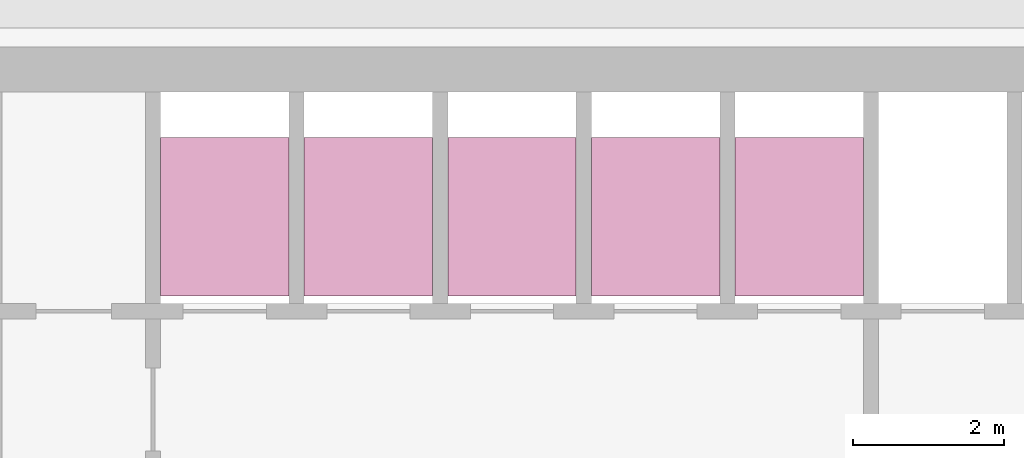
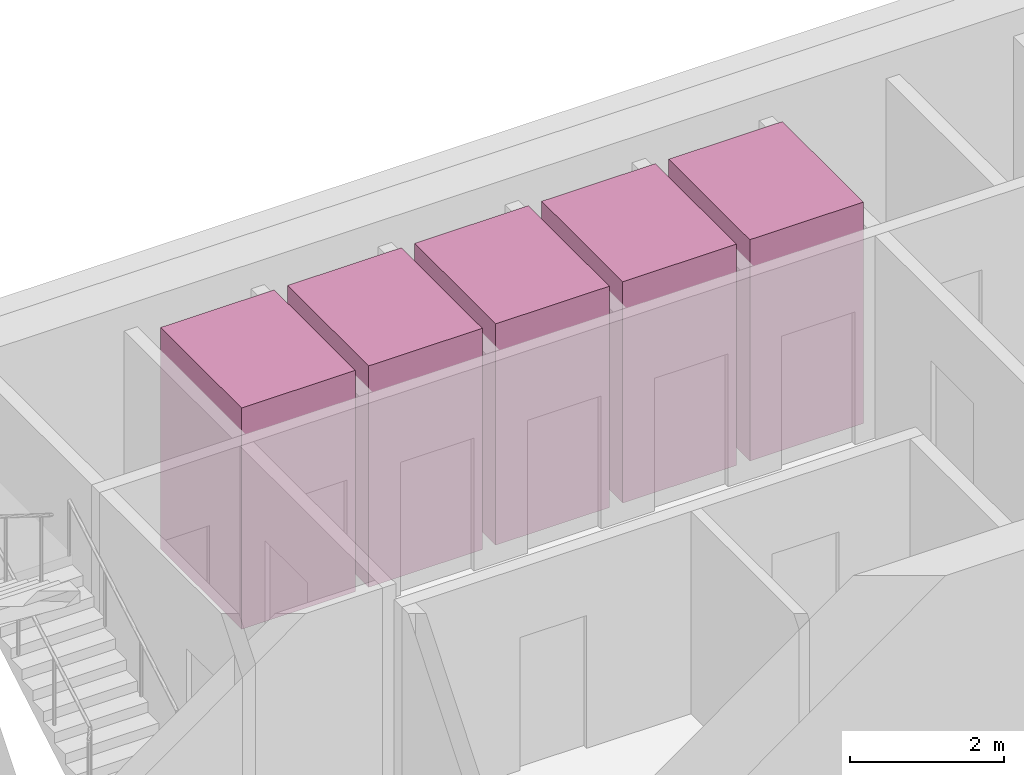
# One storey, part 12 of 12: 5 transport elements.
"""IFC4 building model written with IfcOpenShell, lengths in metres."""

from ifc_helpers import new_model, si_unit, direction, frame, origin, origin_2d, place, context, subcontext, project, spatial, rectangle, extrude, material, type_object, element, save


model = new_model("IFC4")

# Units and contexts
model_context = context("Model", 3, precision=1e-05, world=origin(), true_north=direction((0.0, 1.0)))
body_context = subcontext(model_context, "Body", "Model", "MODEL_VIEW")
ifc_project = project(units=[si_unit("LENGTHUNIT", "METRE"), si_unit("AREAUNIT", "SQUARE_METRE"), si_unit("VOLUMEUNIT", "CUBIC_METRE"), si_unit("PLANEANGLEUNIT", "RADIAN"), si_unit("MASSUNIT", "GRAM", prefix="KILO")], contexts=[model_context])

# Site, building, storey
site_placement = place(None, origin())
site = spatial("IfcSite", under=ifc_project, at=site_placement, CompositionType="ELEMENT")
building_placement = place(site_placement, origin())
building = spatial("IfcBuilding", under=site, at=building_placement, Name="Altiplano Prism Tower", CompositionType="ELEMENT")
storey_placement = place(building_placement, frame((0.0, 0.0, 253.60009765625)))
storey = spatial("IfcBuildingStorey", under=building, at=storey_placement, Name="L65", CompositionType="ELEMENT", Elevation=253.60009765625)

# Transport elements
ifc_material = material(Name="Stainless steel lift car", Category="steel")
transport_element_type = type_object("IfcTransportElementType", Name="Passenger lift car 1600 x 2100", PredefinedType="ELEVATOR", material=ifc_material)
for number, where, z_axis, x_axis, name in (
    (1, (79.050048828125, 101.75, 0.0498046875), (0.0, 0.0, 1.0), (1.0, 0.0, 0.0), "High Zone Passenger Lift 1"),
    (2, (80.949951171875, 101.75, 0.0498046875), (0.0, 0.0, 1.0), (1.0, 0.0, 0.0), "High Zone Passenger Lift 2"),
    (3, (82.85009765625, 101.75, 0.0498046875), (0.0, 0.0, 1.0), (1.0, 0.0, 0.0), "High Zone Passenger Lift 3"),
    (4, (84.75, 101.75, 0.0498046875), (0.0, 0.0, 1.0), (1.0, 0.0, 0.0), "High Zone Passenger Lift 4"),
    (5, (86.64990234375, 101.75, 0.0498046875), (0.0, 0.0, 1.0), (1.0, 0.0, 0.0), "High Zone Passenger Lift 5"),
):
    element("IfcTransportElement", number, at=place(storey_placement, frame(where, z_axis=z_axis, x_axis=x_axis)), inside=storey, type_object=transport_element_type, Name=name, PredefinedType="ELEVATOR", context=body_context, shape_type="SweptSolid", body=[
        extrude(rectangle(XDim=1.699951171875, YDim=2.10009765625, at=origin_2d()), origin(), (0.0, 0.0, 1.0), 3.5),
    ])

save(model, "model.ifc")
